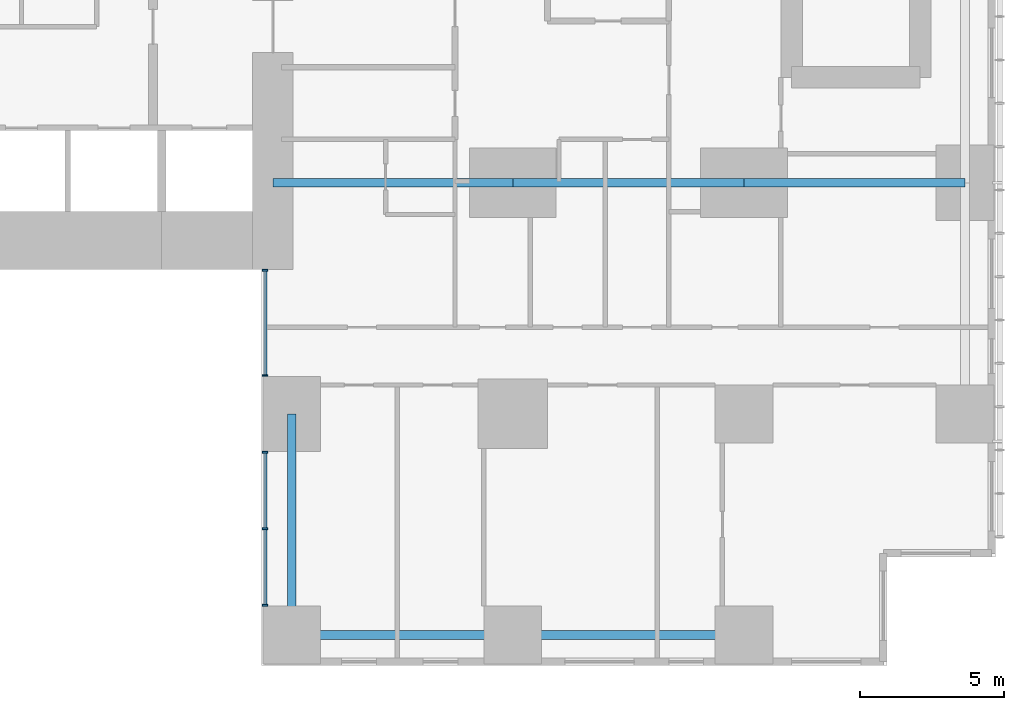
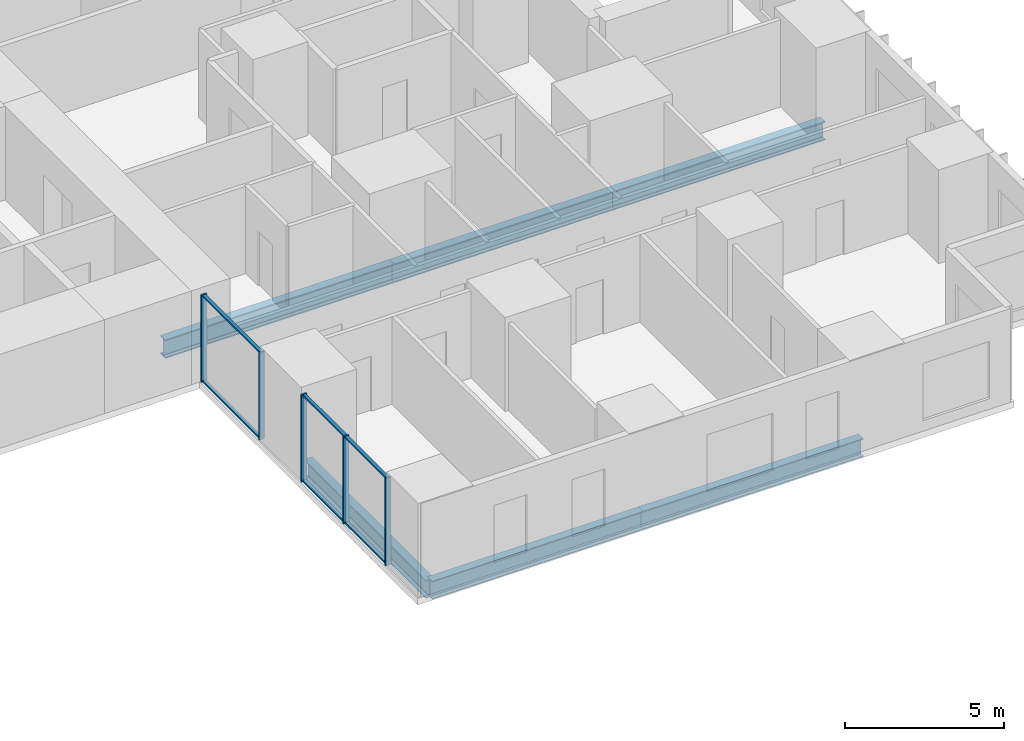
# One storey, part 3 of 20: 11 members, 6 beams, 2 elements without a shape of their own.
"""IFC4 building model written with IfcOpenShell, lengths in metres."""

import ifcopenshell
import ifcopenshell.guid

model = None  # the IFC model being written
_history = None  # IfcOwnerHistory: only IFC2X3 demands one
_inside = {}  # id of a spatial element -> (the spatial element, [elements in it])
_under = {}  # id of a project, library or spatial element -> (it, [spatial elements below it])
_declared = {}  # id of a project -> (the project, [libraries it declares])
_typed = {}  # id of a type object -> (the type object, [elements of that type])
_made_of = {}  # id of a material, layer set ... -> (it, [elements and type objects made of it])


def new_model(schema):
    """Start an empty IFC model of exactly this schema.

    Asked for "IFC4X3", IfcOpenShell would pick the latest addendum, in which some entities
    have other attributes; the version numbers below select the first issue.
    IFC2X3 requires an IfcOwnerHistory on every rooted entity: one is made here for all.
    """
    global model, _history
    if schema == "IFC4X3":
        model = ifcopenshell.file(schema_version=(4, 3, 0, 0))
    else:
        model = ifcopenshell.file(schema=schema)
    _inside.clear()
    _under.clear()
    _declared.clear()
    _typed.clear()
    _made_of.clear()
    _history = None
    if model.schema == "IFC2X3":
        org = make("IfcOrganization", Name="unknown")
        user = make(
            "IfcPersonAndOrganization",
            ThePerson=make("IfcPerson", FamilyName="unknown"),
            TheOrganization=org,
        )
        app = make(
            "IfcApplication",
            ApplicationDeveloper=org,
            Version="unknown",
            ApplicationFullName="unknown",
            ApplicationIdentifier="unknown",
        )
        _history = make(
            "IfcOwnerHistory",
            OwningUser=user,
            OwningApplication=app,
            ChangeAction="ADDED",
            CreationDate=0,
        )
    return model


def make(cls, **values):
    """One entity of the class cls with the attributes given. An attribute that is None is left unset."""
    return model.create_entity(
        cls, **{name: value for name, value in values.items() if value is not None}
    )


def rooted(cls, **values):
    """An entity with a GlobalId (a new one), such as an element, a storey or a relation."""
    return make(cls, GlobalId=ifcopenshell.guid.new(), OwnerHistory=_history, **values)


def si_unit(unit_type, name, prefix=None):
    """IfcSIUnit, for example si_unit("LENGTHUNIT", "METRE", prefix="MILLI")."""
    return make("IfcSIUnit", UnitType=unit_type, Prefix=prefix, Name=name)


def assignment(units):
    """IfcUnitAssignment: the units of a project."""
    return None if units is None else make("IfcUnitAssignment", Units=units)


def point(xyz):
    """IfcCartesianPoint."""
    return None if xyz is None else make("IfcCartesianPoint", Coordinates=xyz)


def direction(xyz):
    """IfcDirection."""
    return None if xyz is None else make("IfcDirection", DirectionRatios=xyz)


def frame(location, z_axis=None, x_axis=None):
    """IfcAxis2Placement3D, a coordinate frame: its origin and axes. An axis left out is left unset."""
    return make(
        "IfcAxis2Placement3D",
        Location=point(location),
        Axis=direction(z_axis),
        RefDirection=direction(x_axis),
    )


def frame_2d(location, x_axis=None):
    """IfcAxis2Placement2D, a coordinate frame in the plane: its origin and x axis."""
    return make(
        "IfcAxis2Placement2D", Location=point(location), RefDirection=direction(x_axis)
    )


def origin():
    """The frame at (0, 0, 0) with its axes left unset."""
    return frame((0.0, 0.0, 0.0))


def origin_2d():
    """The frame at (0, 0) in the plane with its x axis left unset."""
    return frame_2d((0.0, 0.0))


def place(relative_to, where):
    """IfcLocalPlacement: puts the frame where relative to a parent placement (None: the world)."""
    return make(
        "IfcLocalPlacement", PlacementRelTo=relative_to, RelativePlacement=where
    )


def context(
    kind, dimensions, precision=None, world=None, true_north=None, identifier=None
):
    """IfcGeometricRepresentationContext, for example the 3D "Model" context."""
    return make(
        "IfcGeometricRepresentationContext",
        ContextIdentifier=identifier,
        ContextType=kind,
        CoordinateSpaceDimension=dimensions,
        Precision=precision,
        WorldCoordinateSystem=world,
        TrueNorth=true_north,
    )


def subcontext(parent, identifier, kind, view, scale=None):
    """IfcGeometricRepresentationSubContext, for example "Body" below "Model"."""
    return make(
        "IfcGeometricRepresentationSubContext",
        ContextIdentifier=identifier,
        ContextType=kind,
        ParentContext=parent,
        TargetScale=scale,
        TargetView=view,
    )


def project(units=None, contexts=None):
    """IfcProject with its units and contexts."""
    return rooted(
        "IfcProject",
        Name="project",
        RepresentationContexts=contexts,
        UnitsInContext=assignment(units),
    )


def spatial(cls, under=None, at=None, **own):
    """A site, building, storey or space (cls), placed at a placement, below another one or the project."""
    s = rooted(cls, ObjectPlacement=at, **own)
    if under is not None:
        _under.setdefault(under.id(), (under, []))[1].append(s)
    return s


def profile(cls, at=None, kind="AREA", **sizes):
    """A parametric profile (cls). Its sizes go by their IFC names, for example OverallWidth=200.0."""
    return make(cls, ProfileType=kind, Position=at, **sizes)


def rectangle(**sizes):
    """IfcRectangleProfileDef."""
    return profile("IfcRectangleProfileDef", **sizes)


def i_section(**sizes):
    """IfcIShapeProfileDef."""
    return profile("IfcIShapeProfileDef", **sizes)


def extrude(swept, where, along, depth):
    """IfcExtrudedAreaSolid: the profile swept, set in the frame where, extruded along a direction by depth."""
    return make(
        "IfcExtrudedAreaSolid",
        SweptArea=swept,
        Position=where,
        ExtrudedDirection=direction(along),
        Depth=depth,
    )


def shape(context_of_items, identifier, shape_type, items):
    """IfcShapeRepresentation: the items that make up one representation, for example the "Body"."""
    return make(
        "IfcShapeRepresentation",
        ContextOfItems=context_of_items,
        RepresentationIdentifier=identifier,
        RepresentationType=shape_type,
        Items=items,
    )


def material(Name=None, Category=None):
    """IfcMaterial."""
    return make("IfcMaterial", Name=Name, Category=Category)


def layer(
    of_material, thickness, ventilated=None, Name=None, Category=None, Priority=None
):
    """IfcMaterialLayer: one layer of a wall or slab, of a material (None: an air gap)."""
    return make(
        "IfcMaterialLayer",
        Material=of_material,
        LayerThickness=thickness,
        IsVentilated=ventilated,
        Name=Name,
        Category=Category,
        Priority=Priority,
    )


def layer_set(layers, Name=None):
    """IfcMaterialLayerSet."""
    return make("IfcMaterialLayerSet", MaterialLayers=layers, LayerSetName=Name)


def material_profile(
    of_material, cross_section, Name=None, Category=None, Priority=None
):
    """IfcMaterialProfile: a cross section and its material."""
    return make(
        "IfcMaterialProfile",
        Name=Name,
        Material=of_material,
        Profile=cross_section,
        Priority=Priority,
        Category=Category,
    )


def profile_set(profiles, Name=None, composite=None):
    """IfcMaterialProfileSet."""
    return make(
        "IfcMaterialProfileSet",
        Name=Name,
        MaterialProfiles=profiles,
        CompositeProfile=composite,
    )


def made_of(thing, what):
    """Note that an element or type object is made of a material, layer set ...; save() writes the relation."""
    if what is not None:
        _made_of.setdefault(what.id(), (what, []))[1].append(thing)
    return thing


def type_object(cls, material=None, **own):
    """A type object (cls), such as IfcWallType, which elements share."""
    return made_of(rooted(cls, **own), material)


def element(
    cls,
    number,
    at=None,
    inside=None,
    cuts=None,
    type_object=None,
    material=None,
    context=None,
    identifier="Body",
    shape_type=None,
    held_by="IfcProductDefinitionShape",
    body=None,
    shapes=None,
    **own,
):
    """One element of the class cls, such as IfcWall. Its Tag is "e" and its number.

    at: its placement. inside: the storey or other place that contains it. cuts: it is an
    opening in that element (IfcRelVoidsElement). A single representation is given by context,
    identifier, shape_type and body (its items); several are given by shapes. held_by: the class
    of the entity that holds the representations. save() writes the other relations.
    """
    e = rooted(cls, Tag="e%d" % number, ObjectPlacement=at, **own)
    if body is not None:
        shapes = [shape(context, identifier, shape_type, body)]
    if shapes is not None:
        e.Representation = make(held_by, Representations=shapes)
    if inside is not None:
        _inside.setdefault(inside.id(), (inside, []))[1].append(e)
    if cuts is not None:
        rooted(
            "IfcRelVoidsElement", RelatingBuildingElement=cuts, RelatedOpeningElement=e
        )
    if type_object is not None:
        _typed.setdefault(type_object.id(), (type_object, []))[1].append(e)
    return made_of(e, material)


def aggregate(whole, parts):
    """IfcRelAggregates: a whole, such as a stair, and the parts it consists of."""
    return rooted("IfcRelAggregates", RelatingObject=whole, RelatedObjects=parts)


def save(model, path):
    """Write the relations noted so far, then the file.

    IfcRelAggregates (storeys below a building ...), IfcRelContainedInSpatialStructure (elements
    in a storey), IfcRelDefinesByType, IfcRelAssociatesMaterial and IfcRelDeclares: one each for
    every whole, place, type object, material and project.
    """
    for whole, parts in _under.values():
        aggregate(whole, parts)
    for where, things in _inside.values():
        rooted(
            "IfcRelContainedInSpatialStructure",
            RelatedElements=things,
            RelatingStructure=where,
        )
    for kind, things in _typed.values():
        rooted("IfcRelDefinesByType", RelatedObjects=things, RelatingType=kind)
    for what, things in _made_of.values():
        rooted("IfcRelAssociatesMaterial", RelatedObjects=things, RelatingMaterial=what)
    for by, libraries in _declared.values():
        rooted("IfcRelDeclares", RelatingContext=by, RelatedDefinitions=libraries)
    model.write(path)


model = new_model("IFC4")

# Units and contexts
model_context = context("Model", 3, precision=1e-05, world=origin(), true_north=direction((0.0, 1.0)))
body_context = subcontext(model_context, "Body", "Model", "MODEL_VIEW")
ifc_project = project(units=[si_unit("LENGTHUNIT", "METRE"), si_unit("AREAUNIT", "SQUARE_METRE"), si_unit("VOLUMEUNIT", "CUBIC_METRE"), si_unit("PLANEANGLEUNIT", "RADIAN"), si_unit("MASSUNIT", "GRAM", prefix="KILO")], contexts=[model_context])

# Site, building, storey
site_placement = place(None, origin())
site = spatial("IfcSite", under=ifc_project, at=site_placement, CompositionType="ELEMENT")
building_placement = place(site_placement, origin())
building = spatial("IfcBuilding", under=site, at=building_placement, Name="Cleftline Residences", CompositionType="ELEMENT")
storey_placement = place(building_placement, frame((0.0, 0.0, 153.800048828125)))
storey = spatial("IfcBuildingStorey", under=building, at=storey_placement, Name="L40", CompositionType="ELEMENT", Elevation=153.800048828125)

# Beams
ifc_material_1 = material(Name="Steel S355", Category="steel")
ifc_material_profile_1 = material_profile(ifc_material_1, i_section(OverallWidth=0.300048828125, OverallDepth=0.699951171875, WebThickness=0.01708984375, FlangeThickness=0.031982421875, FilletRadius=0.027099609375, at=origin_2d()))
ifc_profile_set_1 = profile_set([ifc_material_profile_1], Name="Steel S355")
beam_type_1 = type_object("IfcBeamType", Name="BEAM HEB 700", PredefinedType="BEAM", material=ifc_profile_set_1)
beam_1_placement = place(storey_placement, frame((58.0, 0.35009765625, -0.60009765625), z_axis=(-1.0, 0.0, 0.0), x_axis=(0.0, -1.0, 0.0)))
element("IfcBeam", 1, at=beam_1_placement, inside=storey, type_object=beam_type_1, Name="Edge beam", PredefinedType="BEAM", context=body_context, shape_type="SweptSolid", body=[
    extrude(i_section(OverallWidth=0.300048828125, OverallDepth=0.699951171875, WebThickness=0.01708984375, FlangeThickness=0.031982421875, FilletRadius=0.027099609375, at=origin_2d()), origin(), (0.0, 0.0, 1.0), 8.0),
])
for number, where, z_axis, x_axis, name in (
    (2, (50.0, 0.35009765625, -0.60009765625), (-1.0, 0.0, 0.0), (0.0, -1.0, 0.0), "Edge beam"),
    (3, (42.35009765625, 0.35009765625, -0.60009765625), (0.0, 1.0, 0.0), (-1.0, 0.0, 0.0), "Edge beam"),
):
    element("IfcBeam", number, at=place(storey_placement, frame(where, z_axis=z_axis, x_axis=x_axis)), inside=storey, type_object=beam_type_1, Name=name, PredefinedType="BEAM", context=body_context, shape_type="SweptSolid", body=[
        extrude(i_section(OverallWidth=0.300048828125, OverallDepth=0.699951171875, WebThickness=0.01708984375, FlangeThickness=0.031982421875, FilletRadius=0.027099609375, at=origin_2d()), origin(), (0.0, 0.0, 1.0), 7.64990234375),
    ])
ifc_material_2 = material(Name="Steel S355", Category="steel")
ifc_material_profile_2 = material_profile(ifc_material_2, i_section(OverallWidth=0.303955078125, OverallDepth=0.716064453125, WebThickness=0.02099609375, FlangeThickness=0.0400390625, FilletRadius=0.027099609375, at=origin_2d()))
ifc_profile_set_2 = profile_set([ifc_material_profile_2], Name="Steel S355")
beam_type_2 = type_object("IfcBeamType", Name="BEAM HEM 700", PredefinedType="BEAM", material=ifc_profile_set_2)
beam_2_placement = place(storey_placement, frame((65.64990234375, 16.0, -0.608154296875), z_axis=(-1.0, 0.0, 0.0), x_axis=(0.0, -1.0, 0.0)))
element("IfcBeam", 4, at=beam_2_placement, inside=storey, type_object=beam_type_2, Name="Band beam", PredefinedType="BEAM", context=body_context, shape_type="SweptSolid", body=[
    extrude(i_section(OverallWidth=0.303955078125, OverallDepth=0.716064453125, WebThickness=0.02099609375, FlangeThickness=0.0400390625, FilletRadius=0.027099609375, at=origin_2d()), origin(), (0.0, 0.0, 1.0), 7.64990234375),
])
beam_3_placement = place(storey_placement, frame((58.0, 16.0, -0.608154296875), z_axis=(-1.0, 0.0, 0.0), x_axis=(0.0, -1.0, 0.0)))
element("IfcBeam", 5, at=beam_3_placement, inside=storey, type_object=beam_type_2, Name="Band beam", PredefinedType="BEAM", context=body_context, shape_type="SweptSolid", body=[
    extrude(i_section(OverallWidth=0.303955078125, OverallDepth=0.716064453125, WebThickness=0.02099609375, FlangeThickness=0.0400390625, FilletRadius=0.027099609375, at=origin_2d()), origin(), (0.0, 0.0, 1.0), 8.0),
])
beam_4_placement = place(storey_placement, frame((50.0, 16.0, -0.608154296875), z_axis=(-1.0, 0.0, 0.0), x_axis=(0.0, -1.0, 0.0)))
element("IfcBeam", 6, at=beam_4_placement, inside=storey, type_object=beam_type_2, Name="Band beam", PredefinedType="BEAM", context=body_context, shape_type="SweptSolid", body=[
    extrude(i_section(OverallWidth=0.303955078125, OverallDepth=0.716064453125, WebThickness=0.02099609375, FlangeThickness=0.0400390625, FilletRadius=0.027099609375, at=origin_2d()), origin(), (0.0, 0.0, 1.0), 8.300048828125),
])

# Curtain wall, members
ifc_material_3 = material(Name="Aluminium framed curtain wall", Category="aluminium")
ifc_layer = layer(ifc_material_3, 0.199951171875)
ifc_layer_set = layer_set([ifc_layer], Name="CW1 CLEFT GLAZING")
curtain_wall_type = type_object("IfcCurtainWallType", Name="CW1 CLEFT GLAZING", PredefinedType="NOTDEFINED", material=ifc_layer_set)
curtain_wall_1_placement = place(storey_placement, origin())
curtain_wall_1 = element("IfcCurtainWall", 7, at=curtain_wall_1_placement, inside=storey, type_object=curtain_wall_type, Name="Curtain wall CW1", PredefinedType="NOTDEFINED")
ifc_material_4 = material(Name="Aluminium mullion", Category="aluminium")
ifc_material_profile_3 = material_profile(ifc_material_4, rectangle(XDim=0.199951171875, YDim=0.06005859375, at=origin_2d()))
ifc_profile_set_3 = profile_set([ifc_material_profile_3], Name="Aluminium mullion")
member_type_1 = type_object("IfcMemberType", Name="CW1 MULLION", PredefinedType="MULLION", material=ifc_profile_set_3)
member_1_placement = place(storey_placement, frame((41.425048828125, 12.969970703125, 0.0), z_axis=(0.0, 0.0, 1.0), x_axis=(1.0, 0.0, 0.0)))
member_1 = element("IfcMember", 8, at=member_1_placement, type_object=member_type_1, Name="CW1 mullion 1", PredefinedType="MULLION", context=body_context, shape_type="SweptSolid", body=[
    extrude(rectangle(XDim=0.199951171875, YDim=0.06005859375, at=origin_2d()), origin(), (0.0, 0.0, 1.0), 3.349853515625),
])
member_2_placement = place(storey_placement, frame((41.425048828125, 9.330078125, 0.0), z_axis=(0.0, 0.0, 1.0), x_axis=(1.0, 0.0, 0.0)))
member_2 = element("IfcMember", 9, at=member_2_placement, type_object=member_type_1, Name="CW1 mullion 2", PredefinedType="MULLION", context=body_context, shape_type="SweptSolid", body=[
    extrude(rectangle(XDim=0.199951171875, YDim=0.06005859375, at=origin_2d()), origin(), (0.0, 0.0, 1.0), 3.349853515625),
])

curtain_wall_2_placement = place(storey_placement, origin())
curtain_wall_2 = element("IfcCurtainWall", 10, at=curtain_wall_2_placement, inside=storey, type_object=curtain_wall_type, Name="Curtain wall CW1", PredefinedType="NOTDEFINED")
member_3_placement = place(storey_placement, frame((41.425048828125, 6.669921875, 0.0), z_axis=(0.0, 0.0, 1.0), x_axis=(1.0, 0.0, 0.0)))
member_3 = element("IfcMember", 11, at=member_3_placement, type_object=member_type_1, Name="CW1 mullion 1", PredefinedType="MULLION", context=body_context, shape_type="SweptSolid", body=[
    extrude(rectangle(XDim=0.199951171875, YDim=0.06005859375, at=origin_2d()), origin(), (0.0, 0.0, 1.0), 3.349853515625),
])
member_4_placement = place(storey_placement, frame((41.425048828125, 4.02490234375, 0.0), z_axis=(0.0, 0.0, 1.0), x_axis=(1.0, 0.0, 0.0)))
member_4 = element("IfcMember", 12, at=member_4_placement, type_object=member_type_1, Name="CW1 mullion 2", PredefinedType="MULLION", context=body_context, shape_type="SweptSolid", body=[
    extrude(rectangle(XDim=0.199951171875, YDim=0.06005859375, at=origin_2d()), origin(), (0.0, 0.0, 1.0), 3.349853515625),
])
member_5_placement = place(storey_placement, frame((41.425048828125, 1.3798828125, 0.0), z_axis=(0.0, 0.0, 1.0), x_axis=(1.0, 0.0, 0.0)))
member_5 = element("IfcMember", 13, at=member_5_placement, type_object=member_type_1, Name="CW1 mullion 3", PredefinedType="MULLION", context=body_context, shape_type="SweptSolid", body=[
    extrude(rectangle(XDim=0.199951171875, YDim=0.06005859375, at=origin_2d()), origin(), (0.0, 0.0, 1.0), 3.349853515625),
])

# Member
ifc_material_5 = material(Name="Aluminium transom", Category="aluminium")
ifc_material_profile_4 = material_profile(ifc_material_5, rectangle(XDim=0.1201171875, YDim=0.06005859375, at=origin_2d()))
ifc_profile_set_4 = profile_set([ifc_material_profile_4], Name="Aluminium transom")
member_type_2 = type_object("IfcMemberType", Name="CW1 TRANSOM", PredefinedType="USERDEFINED", material=ifc_profile_set_4)
member_6_placement = place(storey_placement, frame((41.425048828125, 12.93994140625, 0.030029296875), z_axis=(0.0, -1.0, 0.0), x_axis=(1.0, 0.0, 0.0)))
member_6 = element("IfcMember", 14, at=member_6_placement, type_object=member_type_2, Name="CW1 transom 1.1", ObjectType="TRANSOM", PredefinedType="USERDEFINED", context=body_context, shape_type="SweptSolid", body=[
    extrude(rectangle(XDim=0.1201171875, YDim=0.06005859375, at=origin_2d()), origin(), (0.0, 0.0, 1.0), 3.579833984375),
])

member_7_placement = place(storey_placement, frame((41.425048828125, 12.93994140625, 3.320068359375), z_axis=(0.0, -1.0, 0.0), x_axis=(1.0, 0.0, 0.0)))
member_7 = element("IfcMember", 15, at=member_7_placement, type_object=member_type_2, Name="CW1 transom 1.2", ObjectType="TRANSOM", PredefinedType="USERDEFINED", context=body_context, shape_type="SweptSolid", body=[
    extrude(rectangle(XDim=0.1201171875, YDim=0.06005859375, at=origin_2d()), origin(), (0.0, 0.0, 1.0), 3.579833984375),
])

aggregate(curtain_wall_1, [member_1, member_2, member_6, member_7])

member_8_placement = place(storey_placement, frame((41.425048828125, 6.639892578125, 0.030029296875), z_axis=(0.0, -1.0, 0.0), x_axis=(1.0, 0.0, 0.0)))
member_8 = element("IfcMember", 16, at=member_8_placement, type_object=member_type_2, Name="CW1 transom 1.1", ObjectType="TRANSOM", PredefinedType="USERDEFINED", context=body_context, shape_type="SweptSolid", body=[
    extrude(rectangle(XDim=0.1201171875, YDim=0.06005859375, at=origin_2d()), origin(), (0.0, 0.0, 1.0), 2.5849609375),
])

member_9_placement = place(storey_placement, frame((41.425048828125, 6.639892578125, 3.320068359375), z_axis=(0.0, -1.0, 0.0), x_axis=(1.0, 0.0, 0.0)))
member_9 = element("IfcMember", 17, at=member_9_placement, type_object=member_type_2, Name="CW1 transom 1.2", ObjectType="TRANSOM", PredefinedType="USERDEFINED", context=body_context, shape_type="SweptSolid", body=[
    extrude(rectangle(XDim=0.1201171875, YDim=0.06005859375, at=origin_2d()), origin(), (0.0, 0.0, 1.0), 2.5849609375),
])

member_10_placement = place(storey_placement, frame((41.425048828125, 3.9951171875, 0.030029296875), z_axis=(0.0, -1.0, 0.0), x_axis=(1.0, 0.0, 0.0)))
member_10 = element("IfcMember", 18, at=member_10_placement, type_object=member_type_2, Name="CW1 transom 2.1", ObjectType="TRANSOM", PredefinedType="USERDEFINED", context=body_context, shape_type="SweptSolid", body=[
    extrude(rectangle(XDim=0.1201171875, YDim=0.06005859375, at=origin_2d()), origin(), (0.0, 0.0, 1.0), 2.585205078125),
])

member_11_placement = place(storey_placement, frame((41.425048828125, 3.9951171875, 3.320068359375), z_axis=(0.0, -1.0, 0.0), x_axis=(1.0, 0.0, 0.0)))
member_11 = element("IfcMember", 19, at=member_11_placement, type_object=member_type_2, Name="CW1 transom 2.2", ObjectType="TRANSOM", PredefinedType="USERDEFINED", context=body_context, shape_type="SweptSolid", body=[
    extrude(rectangle(XDim=0.1201171875, YDim=0.06005859375, at=origin_2d()), origin(), (0.0, 0.0, 1.0), 2.585205078125),
])

aggregate(curtain_wall_2, [member_3, member_4, member_5, member_8, member_9, member_10, member_11])

save(model, "model.ifc")
